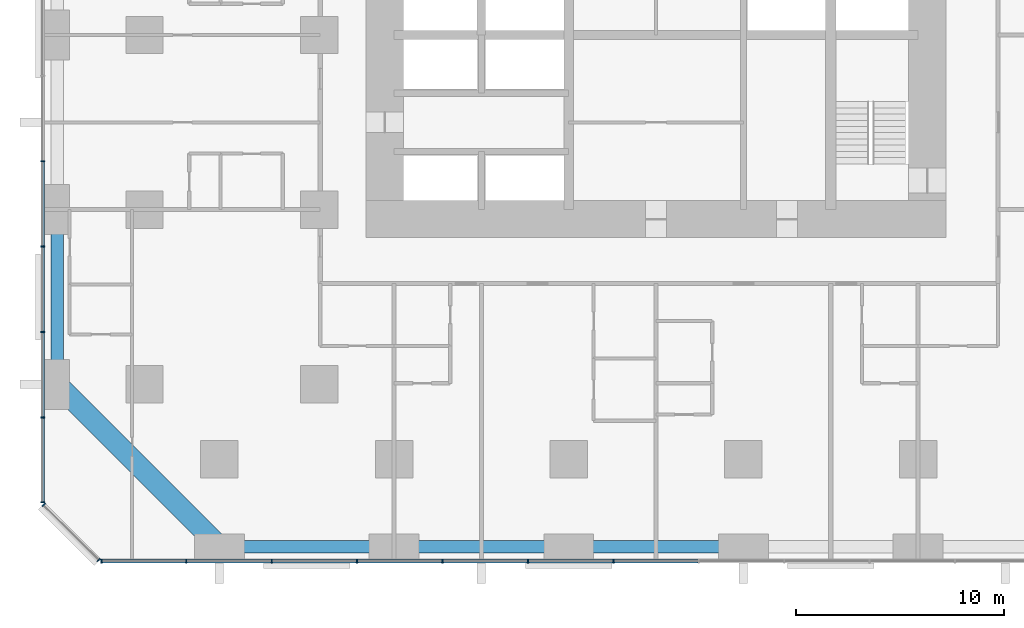
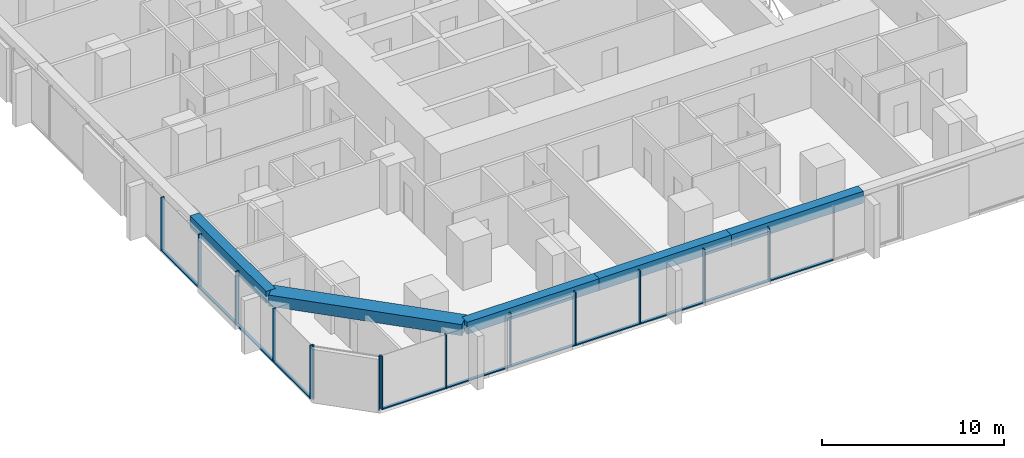
# One storey, part 2 of 17: 25 members, 5 beams, 3 elements without a shape of their own.
"""IFC4 building model written with IfcOpenShell, lengths in metres."""

from ifc_helpers import new_model, si_unit, direction, frame, origin, origin_2d, place, context, subcontext, project, spatial, rectangle, extrude, material, material_profile, profile_set, type_object, element, aggregate, save


model = new_model("IFC4")

# Units and contexts
model_context = context("Model", 3, precision=1e-05, world=origin(), true_north=direction((0.0, 1.0)))
body_context = subcontext(model_context, "Body", "Model", "MODEL_VIEW")
ifc_project = project(units=[si_unit("LENGTHUNIT", "METRE"), si_unit("AREAUNIT", "SQUARE_METRE"), si_unit("VOLUMEUNIT", "CUBIC_METRE"), si_unit("PLANEANGLEUNIT", "RADIAN"), si_unit("MASSUNIT", "GRAM", prefix="KILO")], contexts=[model_context])

# Site, building, storey
site_placement = place(None, origin())
site = spatial("IfcSite", under=ifc_project, at=site_placement, CompositionType="ELEMENT")
building_placement = place(site_placement, origin())
building = spatial("IfcBuilding", under=site, at=building_placement, Name="Dunama Terrace Hotel", CompositionType="ELEMENT")
storey_placement = place(building_placement, frame((0.0, 0.0, 37.800048828125)))
storey = spatial("IfcBuildingStorey", under=building, at=storey_placement, Name="L08", CompositionType="ELEMENT", Elevation=37.800048828125)

# Curtain wall, members
ifc_material_1 = material(Name="Aluminium curtain wall system", Category="aluminium")
curtain_wall_type = type_object("IfcCurtainWallType", Name="Unitised fritted glass wall CW-A", PredefinedType="NOTDEFINED", material=ifc_material_1)
curtain_wall_1_placement = place(storey_placement, origin())
curtain_wall_1 = element("IfcCurtainWall", 1, at=curtain_wall_1_placement, inside=storey, type_object=curtain_wall_type, Name="Unitised fritted glass wall CW-A L08", PredefinedType="NOTDEFINED")
ifc_material_2 = material(Name="Aluminium mullion", Category="aluminium")
ifc_material_profile_1 = material_profile(ifc_material_2, rectangle(XDim=0.06494140625, YDim=0.199951171875, at=origin_2d()), Name="CWA MULLION 65X200")
ifc_profile_set_1 = profile_set([ifc_material_profile_1], Name="Aluminium mullion")
member_type_1 = type_object("IfcMemberType", Name="CWA mullion 65x200", PredefinedType="MULLION", material=ifc_profile_set_1)
member_1_placement = place(storey_placement, frame((2.73291015625, -0.10009765625, 0.0), z_axis=(0.0, 0.0, 1.0), x_axis=(1.0, 0.0, 0.0)))
member_1 = element("IfcMember", 2, at=member_1_placement, type_object=member_type_1, Name="CWA mullion", PredefinedType="MULLION", context=body_context, shape_type="SweptSolid", body=[
    extrude(rectangle(XDim=0.06494140625, YDim=0.199951171875, at=origin_2d()), origin(), (0.0, 0.0, 1.0), 3.599853515625),
])
member_2_placement = place(storey_placement, frame((6.80810546875, -0.10009765625, 0.0), z_axis=(0.0, 0.0, 1.0), x_axis=(1.0, 0.0, 0.0)))
member_2 = element("IfcMember", 3, at=member_2_placement, type_object=member_type_1, Name="CWA mullion", PredefinedType="MULLION", context=body_context, shape_type="SweptSolid", body=[
    extrude(rectangle(XDim=0.06494140625, YDim=0.199951171875, at=origin_2d()), origin(), (0.0, 0.0, 1.0), 3.599853515625),
])
member_3_placement = place(storey_placement, frame((10.9150390625, -0.10009765625, 0.0), z_axis=(0.0, 0.0, 1.0), x_axis=(1.0, 0.0, 0.0)))
member_3 = element("IfcMember", 4, at=member_3_placement, type_object=member_type_1, Name="CWA mullion", PredefinedType="MULLION", context=body_context, shape_type="SweptSolid", body=[
    extrude(rectangle(XDim=0.06494140625, YDim=0.199951171875, at=origin_2d()), origin(), (0.0, 0.0, 1.0), 3.599853515625),
])
member_4_placement = place(storey_placement, frame((15.02294921875, -0.10009765625, 0.0), z_axis=(0.0, 0.0, 1.0), x_axis=(1.0, 0.0, 0.0)))
member_4 = element("IfcMember", 5, at=member_4_placement, type_object=member_type_1, Name="CWA mullion", PredefinedType="MULLION", context=body_context, shape_type="SweptSolid", body=[
    extrude(rectangle(XDim=0.06494140625, YDim=0.199951171875, at=origin_2d()), origin(), (0.0, 0.0, 1.0), 3.599853515625),
])
member_5_placement = place(storey_placement, frame((19.131103515625, -0.10009765625, 0.0), z_axis=(0.0, 0.0, 1.0), x_axis=(1.0, 0.0, 0.0)))
member_5 = element("IfcMember", 6, at=member_5_placement, type_object=member_type_1, Name="CWA mullion", PredefinedType="MULLION", context=body_context, shape_type="SweptSolid", body=[
    extrude(rectangle(XDim=0.06494140625, YDim=0.199951171875, at=origin_2d()), origin(), (0.0, 0.0, 1.0), 3.599853515625),
])
member_6_placement = place(storey_placement, frame((23.238037109375, -0.10009765625, 0.0), z_axis=(0.0, 0.0, 1.0), x_axis=(1.0, 0.0, 0.0)))
member_6 = element("IfcMember", 7, at=member_6_placement, type_object=member_type_1, Name="CWA mullion", PredefinedType="MULLION", context=body_context, shape_type="SweptSolid", body=[
    extrude(rectangle(XDim=0.06494140625, YDim=0.199951171875, at=origin_2d()), origin(), (0.0, 0.0, 1.0), 3.599853515625),
])
member_7_placement = place(storey_placement, frame((27.345947265625, -0.10009765625, 0.0), z_axis=(0.0, 0.0, 1.0), x_axis=(1.0, 0.0, 0.0)))
member_7 = element("IfcMember", 8, at=member_7_placement, type_object=member_type_1, Name="CWA mullion", PredefinedType="MULLION", context=body_context, shape_type="SweptSolid", body=[
    extrude(rectangle(XDim=0.06494140625, YDim=0.199951171875, at=origin_2d()), origin(), (0.0, 0.0, 1.0), 3.599853515625),
])

curtain_wall_2_placement = place(storey_placement, origin())
curtain_wall_2 = element("IfcCurtainWall", 9, at=curtain_wall_2_placement, inside=storey, type_object=curtain_wall_type, Name="Unitised fritted glass wall CW-A L08", PredefinedType="NOTDEFINED")
member_8_placement = place(storey_placement, frame((-0.10009765625, 19.131103515625, 0.0), z_axis=(0.0, 0.0, 1.0), x_axis=(0.0, -1.0, 0.0)))
member_8 = element("IfcMember", 10, at=member_8_placement, type_object=member_type_1, Name="CWA mullion", PredefinedType="MULLION", context=body_context, shape_type="SweptSolid", body=[
    extrude(rectangle(XDim=0.06494140625, YDim=0.199951171875, at=origin_2d()), origin(), (0.0, 0.0, 1.0), 3.599853515625),
])
member_9_placement = place(storey_placement, frame((-0.10009765625, 15.02294921875, 0.0), z_axis=(0.0, 0.0, 1.0), x_axis=(0.0, -1.0, 0.0)))
member_9 = element("IfcMember", 11, at=member_9_placement, type_object=member_type_1, Name="CWA mullion", PredefinedType="MULLION", context=body_context, shape_type="SweptSolid", body=[
    extrude(rectangle(XDim=0.06494140625, YDim=0.199951171875, at=origin_2d()), origin(), (0.0, 0.0, 1.0), 3.599853515625),
])
member_10_placement = place(storey_placement, frame((-0.10009765625, 10.9150390625, 0.0), z_axis=(0.0, 0.0, 1.0), x_axis=(0.0, -1.0, 0.0)))
member_10 = element("IfcMember", 12, at=member_10_placement, type_object=member_type_1, Name="CWA mullion", PredefinedType="MULLION", context=body_context, shape_type="SweptSolid", body=[
    extrude(rectangle(XDim=0.06494140625, YDim=0.199951171875, at=origin_2d()), origin(), (0.0, 0.0, 1.0), 3.599853515625),
])
member_11_placement = place(storey_placement, frame((-0.10009765625, 6.80810546875, 0.0), z_axis=(0.0, 0.0, 1.0), x_axis=(0.0, -1.0, 0.0)))
member_11 = element("IfcMember", 13, at=member_11_placement, type_object=member_type_1, Name="CWA mullion", PredefinedType="MULLION", context=body_context, shape_type="SweptSolid", body=[
    extrude(rectangle(XDim=0.06494140625, YDim=0.199951171875, at=origin_2d()), origin(), (0.0, 0.0, 1.0), 3.599853515625),
])
member_12_placement = place(storey_placement, frame((-0.10009765625, 2.73291015625, 0.0), z_axis=(0.0, 0.0, 1.0), x_axis=(0.0, -1.0, 0.0)))
member_12 = element("IfcMember", 14, at=member_12_placement, type_object=member_type_1, Name="CWA mullion", PredefinedType="MULLION", context=body_context, shape_type="SweptSolid", body=[
    extrude(rectangle(XDim=0.06494140625, YDim=0.199951171875, at=origin_2d()), origin(), (0.0, 0.0, 1.0), 3.599853515625),
])

curtain_wall_3_placement = place(storey_placement, origin())
curtain_wall_3 = element("IfcCurtainWall", 15, at=curtain_wall_3_placement, inside=storey, type_object=curtain_wall_type, Name="Unitised fritted glass wall CW-A L08", PredefinedType="NOTDEFINED")
member_13_placement = place(storey_placement, frame((-0.048095703125, 2.60595703125, 0.0), z_axis=(0.0, 0.0, 1.0), x_axis=(0.707106781187, -0.707106781187, 0.0)))
member_13 = element("IfcMember", 16, at=member_13_placement, type_object=member_type_1, Name="CWA mullion", PredefinedType="MULLION", context=body_context, shape_type="SweptSolid", body=[
    extrude(rectangle(XDim=0.06494140625, YDim=0.199951171875, at=origin_2d()), origin(), (0.0, 0.0, 1.0), 3.599853515625),
])
member_14_placement = place(storey_placement, frame((2.60595703125, -0.048095703125, 0.0), z_axis=(0.0, 0.0, 1.0), x_axis=(0.707106781187, -0.707106781187, 0.0)))
member_14 = element("IfcMember", 17, at=member_14_placement, type_object=member_type_1, Name="CWA mullion", PredefinedType="MULLION", context=body_context, shape_type="SweptSolid", body=[
    extrude(rectangle(XDim=0.06494140625, YDim=0.199951171875, at=origin_2d()), origin(), (0.0, 0.0, 1.0), 3.599853515625),
])
aggregate(curtain_wall_3, [member_13, member_14])

# Member
ifc_material_3 = material(Name="Aluminium transom", Category="aluminium")
ifc_material_profile_2 = material_profile(ifc_material_3, rectangle(XDim=0.179931640625, YDim=0.074951171875, at=origin_2d()), Name="CWA TRANSOM 180X75")
ifc_profile_set_2 = profile_set([ifc_material_profile_2], Name="Aluminium transom")
member_type_2 = type_object("IfcMemberType", Name="CWA transom 180x75", PredefinedType="USERDEFINED", material=ifc_profile_set_2)
member_15_placement = place(storey_placement, frame((2.764892578125, -0.10009765625, 0.037353515625), z_axis=(1.0, 0.0, 0.0), x_axis=(0.0, 1.0, 0.0)))
member_15 = element("IfcMember", 18, at=member_15_placement, type_object=member_type_2, Name="CWA transom", ObjectType="TRANSOM", PredefinedType="USERDEFINED", context=body_context, shape_type="SweptSolid", body=[
    extrude(rectangle(XDim=0.179931640625, YDim=0.074951171875, at=origin_2d()), origin(), (0.0, 0.0, 1.0), 4.010009765625),
])

member_16_placement = place(storey_placement, frame((6.840087890625, -0.10009765625, 0.037353515625), z_axis=(1.0, 0.0, 0.0), x_axis=(0.0, 1.0, 0.0)))
member_16 = element("IfcMember", 19, at=member_16_placement, type_object=member_type_2, Name="CWA transom", ObjectType="TRANSOM", PredefinedType="USERDEFINED", context=body_context, shape_type="SweptSolid", body=[
    extrude(rectangle(XDim=0.179931640625, YDim=0.074951171875, at=origin_2d()), origin(), (0.0, 0.0, 1.0), 4.04296875),
])

member_17_placement = place(storey_placement, frame((10.947998046875, -0.10009765625, 0.037353515625), z_axis=(1.0, 0.0, 0.0), x_axis=(0.0, 1.0, 0.0)))
member_17 = element("IfcMember", 20, at=member_17_placement, type_object=member_type_2, Name="CWA transom", ObjectType="TRANSOM", PredefinedType="USERDEFINED", context=body_context, shape_type="SweptSolid", body=[
    extrude(rectangle(XDim=0.179931640625, YDim=0.074951171875, at=origin_2d()), origin(), (0.0, 0.0, 1.0), 4.04296875),
])

member_18_placement = place(storey_placement, frame((15.055908203125, -0.10009765625, 0.037353515625), z_axis=(1.0, 0.0, 0.0), x_axis=(0.0, 1.0, 0.0)))
member_18 = element("IfcMember", 21, at=member_18_placement, type_object=member_type_2, Name="CWA transom", ObjectType="TRANSOM", PredefinedType="USERDEFINED", context=body_context, shape_type="SweptSolid", body=[
    extrude(rectangle(XDim=0.179931640625, YDim=0.074951171875, at=origin_2d()), origin(), (0.0, 0.0, 1.0), 4.0419921875),
])

member_19_placement = place(storey_placement, frame((19.1630859375, -0.10009765625, 0.037353515625), z_axis=(1.0, 0.0, 0.0), x_axis=(0.0, 1.0, 0.0)))
member_19 = element("IfcMember", 22, at=member_19_placement, type_object=member_type_2, Name="CWA transom", ObjectType="TRANSOM", PredefinedType="USERDEFINED", context=body_context, shape_type="SweptSolid", body=[
    extrude(rectangle(XDim=0.179931640625, YDim=0.074951171875, at=origin_2d()), origin(), (0.0, 0.0, 1.0), 4.04296875),
])

member_20_placement = place(storey_placement, frame((23.27099609375, -0.10009765625, 0.037353515625), z_axis=(1.0, 0.0, 0.0), x_axis=(0.0, 1.0, 0.0)))
member_20 = element("IfcMember", 23, at=member_20_placement, type_object=member_type_2, Name="CWA transom", ObjectType="TRANSOM", PredefinedType="USERDEFINED", context=body_context, shape_type="SweptSolid", body=[
    extrude(rectangle(XDim=0.179931640625, YDim=0.074951171875, at=origin_2d()), origin(), (0.0, 0.0, 1.0), 4.04296875),
])

member_21_placement = place(storey_placement, frame((27.37890625, -0.10009765625, 0.037353515625), z_axis=(1.0, 0.0, 0.0), x_axis=(0.0, 1.0, 0.0)))
member_21 = element("IfcMember", 24, at=member_21_placement, type_object=member_type_2, Name="CWA transom", ObjectType="TRANSOM", PredefinedType="USERDEFINED", context=body_context, shape_type="SweptSolid", body=[
    extrude(rectangle(XDim=0.179931640625, YDim=0.074951171875, at=origin_2d()), origin(), (0.0, 0.0, 1.0), 4.0419921875),
])

aggregate(curtain_wall_1, [member_1, member_2, member_3, member_4, member_5, member_6, member_7, member_15, member_16, member_17, member_18, member_19, member_20, member_21])

member_22_placement = place(storey_placement, frame((-0.10009765625, 19.097900390625, 0.037353515625), z_axis=(0.0, -1.0, 0.0), x_axis=(1.0, 0.0, 0.0)))
member_22 = element("IfcMember", 25, at=member_22_placement, type_object=member_type_2, Name="CWA transom", ObjectType="TRANSOM", PredefinedType="USERDEFINED", context=body_context, shape_type="SweptSolid", body=[
    extrude(rectangle(XDim=0.179931640625, YDim=0.074951171875, at=origin_2d()), origin(), (0.0, 0.0, 1.0), 4.0419921875),
])

member_23_placement = place(storey_placement, frame((-0.10009765625, 14.990966796875, 0.037353515625), z_axis=(0.0, -1.0, 0.0), x_axis=(1.0, 0.0, 0.0)))
member_23 = element("IfcMember", 26, at=member_23_placement, type_object=member_type_2, Name="CWA transom", ObjectType="TRANSOM", PredefinedType="USERDEFINED", context=body_context, shape_type="SweptSolid", body=[
    extrude(rectangle(XDim=0.179931640625, YDim=0.074951171875, at=origin_2d()), origin(), (0.0, 0.0, 1.0), 4.04296875),
])

member_24_placement = place(storey_placement, frame((-0.10009765625, 10.883056640625, 0.037353515625), z_axis=(0.0, -1.0, 0.0), x_axis=(1.0, 0.0, 0.0)))
member_24 = element("IfcMember", 27, at=member_24_placement, type_object=member_type_2, Name="CWA transom", ObjectType="TRANSOM", PredefinedType="USERDEFINED", context=body_context, shape_type="SweptSolid", body=[
    extrude(rectangle(XDim=0.179931640625, YDim=0.074951171875, at=origin_2d()), origin(), (0.0, 0.0, 1.0), 4.04296875),
])

member_25_placement = place(storey_placement, frame((-0.10009765625, 6.77490234375, 0.037353515625), z_axis=(0.0, -1.0, 0.0), x_axis=(1.0, 0.0, 0.0)))
member_25 = element("IfcMember", 28, at=member_25_placement, type_object=member_type_2, Name="CWA transom", ObjectType="TRANSOM", PredefinedType="USERDEFINED", context=body_context, shape_type="SweptSolid", body=[
    extrude(rectangle(XDim=0.179931640625, YDim=0.074951171875, at=origin_2d()), origin(), (0.0, 0.0, 1.0), 4.010009765625),
])

aggregate(curtain_wall_2, [member_8, member_9, member_10, member_11, member_12, member_22, member_23, member_24, member_25])

# Beams
ifc_material_4 = material(Name="Concrete C50/60", Category="concrete")
ifc_material_profile_3 = material_profile(ifc_material_4, rectangle(XDim=1.0, YDim=0.75, at=origin_2d()), Name="RC 1000x750")
ifc_profile_set_3 = profile_set([ifc_material_profile_3], Name="Concrete C50/60")
beam_type_1 = type_object("IfcBeamType", Name="Edge beam RC 1000x750", PredefinedType="SPANDREL", material=ifc_profile_set_3)
beam_1_placement = place(storey_placement, frame((8.39990234375, 0.60009765625, 3.224853515625), z_axis=(-0.707106781187, 0.707106781187, 0.0), x_axis=(-0.707106781187, -0.707106781187, 0.0)))
element("IfcBeam", 29, at=beam_1_placement, inside=storey, type_object=beam_type_1, Name="Corner edge beam under L09", PredefinedType="SPANDREL", context=body_context, shape_type="SweptSolid", body=[
    extrude(rectangle(XDim=1.0, YDim=0.75, at=origin_2d()), origin(), (0.0, 0.0, 1.0), 11.030517578125),
])
ifc_material_5 = material(Name="Concrete C40/50", Category="concrete")
ifc_material_profile_4 = material_profile(ifc_material_5, rectangle(XDim=0.60009765625, YDim=0.800048828125, at=origin_2d()), Name="RC 600x800")
ifc_profile_set_4 = profile_set([ifc_material_profile_4], Name="Concrete C40/50")
beam_type_2 = type_object("IfcBeamType", Name="Edge beam RC 600x800", PredefinedType="SPANDREL", material=ifc_profile_set_4)
for number, where, z_axis, x_axis, name in (
    (30, (0.60009765625, 8.39990234375, 3.199951171875), (0.0, 1.0, 0.0), (-1.0, 0.0, 0.0), "Edge beam under L09"),
    (31, (8.39990234375, 0.60009765625, 3.199951171875), (1.0, 0.0, 0.0), (0.0, 1.0, 0.0), "Edge beam under L09"),
):
    element("IfcBeam", number, at=place(storey_placement, frame(where, z_axis=z_axis, x_axis=x_axis)), inside=storey, type_object=beam_type_2, Name=name, PredefinedType="SPANDREL", context=body_context, shape_type="SweptSolid", body=[
        extrude(rectangle(XDim=0.60009765625, YDim=0.800048828125, at=origin_2d()), origin(), (0.0, 0.0, 1.0), 8.400146484375),
    ])
beam_2_placement = place(storey_placement, frame((16.800048828125, 0.60009765625, 3.199951171875), z_axis=(1.0, 0.0, 0.0), x_axis=(0.0, 1.0, 0.0)))
element("IfcBeam", 32, at=beam_2_placement, inside=storey, type_object=beam_type_2, Name="Edge beam under L09", PredefinedType="SPANDREL", context=body_context, shape_type="SweptSolid", body=[
    extrude(rectangle(XDim=0.60009765625, YDim=0.800048828125, at=origin_2d()), origin(), (0.0, 0.0, 1.0), 8.39990234375),
])
beam_3_placement = place(storey_placement, frame((25.199951171875, 0.60009765625, 3.199951171875), z_axis=(1.0, 0.0, 0.0), x_axis=(0.0, 1.0, 0.0)))
element("IfcBeam", 33, at=beam_3_placement, inside=storey, type_object=beam_type_2, Name="Edge beam under L09", PredefinedType="SPANDREL", context=body_context, shape_type="SweptSolid", body=[
    extrude(rectangle(XDim=0.60009765625, YDim=0.800048828125, at=origin_2d()), origin(), (0.0, 0.0, 1.0), 8.400146484375),
])

save(model, "model.ifc")
